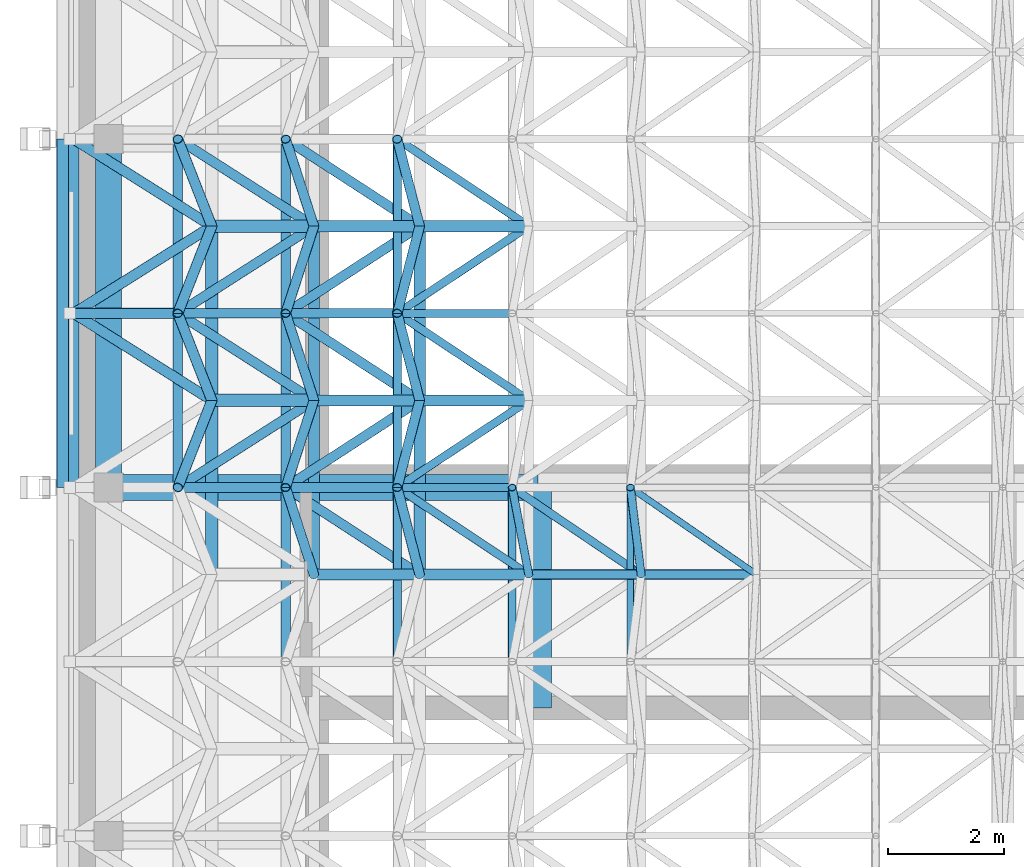
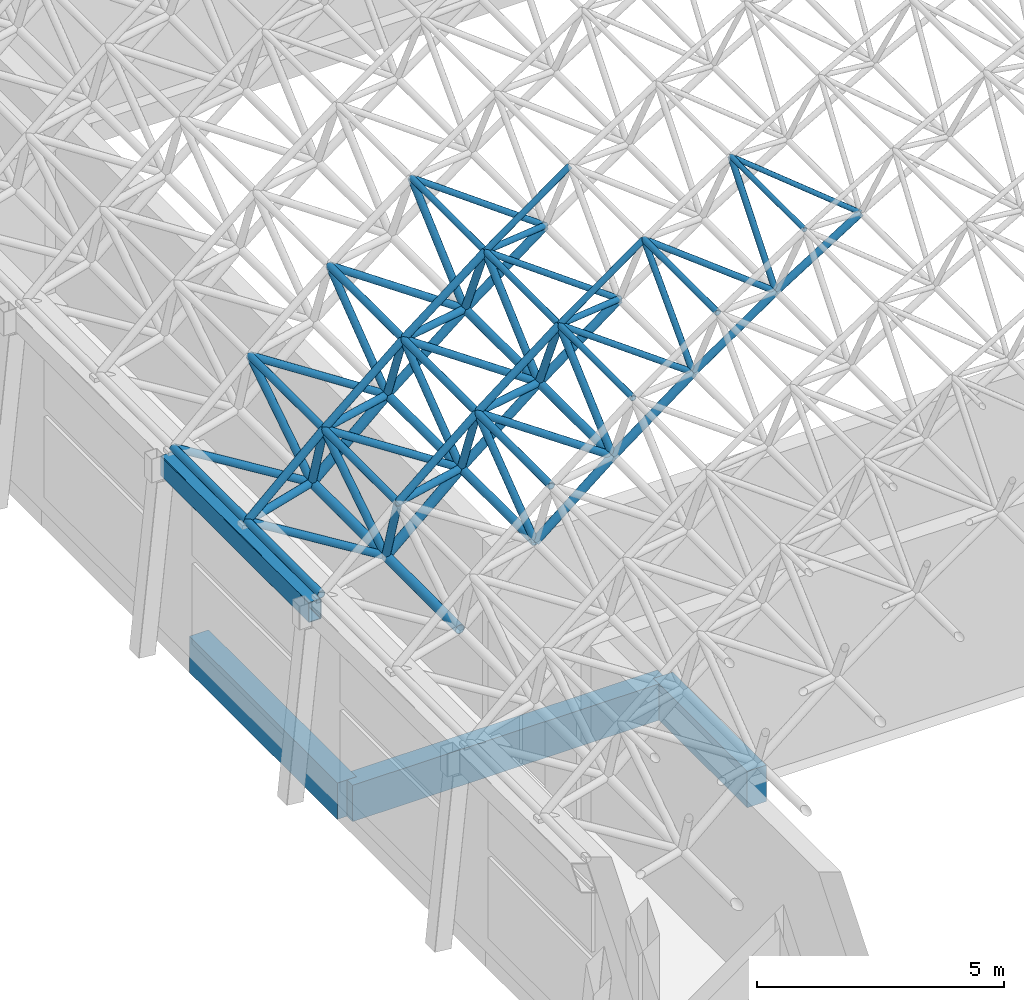
# One storey, part 16 of 141: 70 members, 4 beams.
"""IFC4 building model written with IfcOpenShell, lengths in metres."""

from ifc_helpers import new_model, si_unit, direction, frame, origin, origin_2d, place, context, subcontext, project, spatial, rectangle, hollow_rectangle, hollow_circle, extrude, material, material_profile, profile_set, type_object, element, save


model = new_model("IFC4")

# Units and contexts
model_context = context("Model", 3, precision=1e-05, world=origin(), true_north=direction((0.0, 1.0)))
body_context = subcontext(model_context, "Body", "Model", "MODEL_VIEW")
ifc_project = project(units=[si_unit("LENGTHUNIT", "METRE"), si_unit("AREAUNIT", "SQUARE_METRE"), si_unit("VOLUMEUNIT", "CUBIC_METRE"), si_unit("PLANEANGLEUNIT", "RADIAN"), si_unit("MASSUNIT", "GRAM", prefix="KILO")], contexts=[model_context])

# Site, building, storey
site_placement = place(None, origin())
site = spatial("IfcSite", under=ifc_project, at=site_placement, CompositionType="ELEMENT")
building_placement = place(site_placement, origin())
building = spatial("IfcBuilding", under=site, at=building_placement, Name="Lantern Court Media Centre", CompositionType="ELEMENT")
storey_placement = place(building_placement, frame((0.0, 0.0, 9.60009765625)))
storey = spatial("IfcBuildingStorey", under=building, at=storey_placement, Name="L02", CompositionType="ELEMENT", Elevation=9.60009765625)

# Members
ifc_material_1 = material(Name="Steel S355J2 (EN 10025-2)", Category="steel")
ifc_material_profile_1 = material_profile(ifc_material_1, hollow_circle(Radius=0.084228515625, WallThickness=0.00634765625, at=origin_2d()), Name="Cinema Hall bottom CHS 168.3x6.3")
ifc_profile_set_1 = profile_set([ifc_material_profile_1], Name="Steel S355J2 (EN 10025-2)")
member_type_1 = type_object("IfcMemberType", Name="Cinema Hall bottom CHS 168.3x6.3", PredefinedType="CHORD", material=ifc_profile_set_1)
member_1_placement = place(storey_placement, frame((9.772705078125, 14.5, 9.7939453125), z_axis=(0.846411623189, 0.0, 0.532529214344), x_axis=(0.0, 1.0, 0.0)))
element("IfcMember", 1, at=member_1_placement, inside=storey, type_object=member_type_1, Name="Cinema Hall bottom chord 05-06 across", PredefinedType="CHORD", context=body_context, shape_type="SweptSolid", body=[
    extrude(hollow_circle(Radius=0.084228515625, WallThickness=0.00634765625, at=origin_2d()), origin(), (0.0, 0.0, 1.0), 2.34814453125),
])
ifc_material_profile_2 = material_profile(ifc_material_1, hollow_circle(Radius=0.084228515625, WallThickness=0.008056640625, at=origin_2d()), Name="Cinema Hall bottom CHS 168.3x8")
ifc_profile_set_2 = profile_set([ifc_material_profile_2], Name="Steel S355J2 (EN 10025-2)")
member_type_2 = type_object("IfcMemberType", Name="Cinema Hall bottom CHS 168.3x8", PredefinedType="CHORD", material=ifc_profile_set_2)
member_2_placement = place(storey_placement, frame((7.837646484375, 14.5, 8.463623046875), z_axis=(0.824047991233, 0.0, 0.56651999801), x_axis=(0.0, 1.0, 0.0)))
element("IfcMember", 2, at=member_2_placement, inside=storey, type_object=member_type_2, Name="Cinema Hall bottom chord 04-06 across", PredefinedType="CHORD", context=body_context, shape_type="SweptSolid", body=[
    extrude(hollow_circle(Radius=0.084228515625, WallThickness=0.008056640625, at=origin_2d()), origin(), (0.0, 0.0, 1.0), 2.34814453125),
])
ifc_material_profile_3 = material_profile(ifc_material_1, hollow_circle(Radius=0.096923828125, WallThickness=0.010009765625, at=origin_2d()), Name="Cinema Hall bottom CHS 193.7x10")
ifc_profile_set_3 = profile_set([ifc_material_profile_3], Name="Steel S355J2 (EN 10025-2)")
member_type_3 = type_object("IfcMemberType", Name="Cinema Hall bottom CHS 193.7x10", PredefinedType="CHORD", material=ifc_profile_set_3)
for number, where, z_axis, x_axis, name in (
    (3, (4.1376953125, 14.5, 5.57275390625), (0.0, 1.0, 0.0), (-1.0, 0.0, 0.0), "Cinema Hall bottom chord 02-06"),
    (4, (4.1376953125, 17.5, 5.57275390625), (0.0, 1.0, 0.0), (-1.0, 0.0, 0.0), "Cinema Hall bottom chord 02-07"),
):
    element("IfcMember", number, at=place(storey_placement, frame(where, z_axis=z_axis, x_axis=x_axis)), inside=storey, type_object=member_type_3, Name=name, PredefinedType="CHORD", context=body_context, shape_type="SweptSolid", body=[
        extrude(hollow_circle(Radius=0.096923828125, WallThickness=0.010009765625, at=origin_2d()), origin(), (0.0, 0.0, 1.0), 3.0),
    ])
for number, where, z_axis, x_axis, name in (
    (5, (4.1376953125, 14.5, 5.57275390625), (0.775340578175, 0.0, 0.63154333805), (0.0, 1.0, 0.0), "Cinema Hall bottom chord 02-06 across"),
    (6, (4.1376953125, 17.5, 5.57275390625), (0.775340578175, 0.0, 0.63154333805), (0.0, 1.0, 0.0), "Cinema Hall bottom chord 02-07 across"),
    (7, (4.1376953125, 20.5, 5.57275390625), (0.775340578175, 0.0, 0.63154333805), (0.0, 1.0, 0.0), "Cinema Hall bottom chord 02-08 across"),
):
    element("IfcMember", number, at=place(storey_placement, frame(where, z_axis=z_axis, x_axis=x_axis)), inside=storey, type_object=member_type_3, Name=name, PredefinedType="CHORD", context=body_context, shape_type="SweptSolid", body=[
        extrude(hollow_circle(Radius=0.096923828125, WallThickness=0.010009765625, at=origin_2d()), origin(), (0.0, 0.0, 1.0), 2.34814453125),
    ])
ifc_material_profile_4 = material_profile(ifc_material_1, hollow_circle(Radius=0.096923828125, WallThickness=0.008056640625, at=origin_2d()), Name="Cinema Hall bottom CHS 193.7x8")
ifc_profile_set_4 = profile_set([ifc_material_profile_4], Name="Steel S355J2 (EN 10025-2)")
member_type_4 = type_object("IfcMemberType", Name="Cinema Hall bottom CHS 193.7x8", PredefinedType="CHORD", material=ifc_profile_set_4)
for number, where, z_axis, x_axis, name in (
    (8, (5.958251953125, 14.5, 7.0556640625), (0.0, 1.0, 0.0), (-1.0, 0.0, 0.0), "Cinema Hall bottom chord 03-06"),
    (9, (5.958251953125, 17.5, 7.0556640625), (0.0, 1.0, 0.0), (-1.0, 0.0, 0.0), "Cinema Hall bottom chord 03-07"),
):
    element("IfcMember", number, at=place(storey_placement, frame(where, z_axis=z_axis, x_axis=x_axis)), inside=storey, type_object=member_type_4, Name=name, PredefinedType="CHORD", context=body_context, shape_type="SweptSolid", body=[
        extrude(hollow_circle(Radius=0.096923828125, WallThickness=0.008056640625, at=origin_2d()), origin(), (0.0, 0.0, 1.0), 3.0),
    ])
for number, where, z_axis, x_axis, name in (
    (10, (5.958251953125, 14.5, 7.0556640625), (0.800324254575, 0.0, 0.599567417009), (0.0, 1.0, 0.0), "Cinema Hall bottom chord 03-06 across"),
    (11, (5.958251953125, 17.5, 7.0556640625), (0.800324254575, 0.0, 0.599567417009), (0.0, 1.0, 0.0), "Cinema Hall bottom chord 03-07 across"),
    (12, (5.958251953125, 20.5, 7.0556640625), (0.800324254575, 0.0, 0.599567417009), (0.0, 1.0, 0.0), "Cinema Hall bottom chord 03-08 across"),
):
    element("IfcMember", number, at=place(storey_placement, frame(where, z_axis=z_axis, x_axis=x_axis)), inside=storey, type_object=member_type_4, Name=name, PredefinedType="CHORD", context=body_context, shape_type="SweptSolid", body=[
        extrude(hollow_circle(Radius=0.096923828125, WallThickness=0.008056640625, at=origin_2d()), origin(), (0.0, 0.0, 1.0), 2.348388671875),
    ])
ifc_material_profile_5 = material_profile(ifc_material_1, hollow_circle(Radius=0.109619140625, WallThickness=0.010009765625, at=origin_2d()), Name="Cinema Hall bottom CHS 219.1x10")
ifc_profile_set_5 = profile_set([ifc_material_profile_5], Name="Steel S355J2 (EN 10025-2)")
member_type_5 = type_object("IfcMemberType", Name="Cinema Hall bottom CHS 219.1x10", PredefinedType="CHORD", material=ifc_profile_set_5)
for number, where, z_axis, x_axis, name in (
    (13, (2.378662109375, 14.5, 4.016845703125), (0.0, 1.0, 0.0), (-1.0, 0.0, 0.0), "Cinema Hall bottom chord 01-06"),
    (14, (2.378662109375, 17.5, 4.016845703125), (0.0, 1.0, 0.0), (-1.0, 0.0, 0.0), "Cinema Hall bottom chord 01-07"),
):
    element("IfcMember", number, at=place(storey_placement, frame(where, z_axis=z_axis, x_axis=x_axis)), inside=storey, type_object=member_type_5, Name=name, PredefinedType="CHORD", context=body_context, shape_type="SweptSolid", body=[
        extrude(hollow_circle(Radius=0.109619140625, WallThickness=0.010009765625, at=origin_2d()), origin(), (0.0, 0.0, 1.0), 3.0),
    ])
for number, where, z_axis, x_axis, name in (
    (15, (2.378662109375, 17.5, 4.016845703125), (0.749030294531, 0.0, 0.662535748375), (0.0, 1.0, 0.0), "Cinema Hall bottom chord 01-07 across"),
    (16, (2.378662109375, 20.5, 4.016845703125), (0.749030294531, 0.0, 0.662535748375), (0.0, 1.0, 0.0), "Cinema Hall bottom chord 01-08 across"),
):
    element("IfcMember", number, at=place(storey_placement, frame(where, z_axis=z_axis, x_axis=x_axis)), inside=storey, type_object=member_type_5, Name=name, PredefinedType="CHORD", context=body_context, shape_type="SweptSolid", body=[
        extrude(hollow_circle(Radius=0.109619140625, WallThickness=0.010009765625, at=origin_2d()), origin(), (0.0, 0.0, 1.0), 2.348388671875),
    ])
ifc_material_profile_6 = material_profile(ifc_material_1, hollow_circle(Radius=0.05712890625, WallThickness=0.00634765625, at=origin_2d()), Name="Cinema Hall diagonal CHS 114.3x6.3")
ifc_profile_set_6 = profile_set([ifc_material_profile_6], Name="Steel S355J2 (EN 10025-2)")
member_type_6 = type_object("IfcMemberType", Name="Cinema Hall diagonal CHS 114.3x6.3", PredefinedType="BRACE", material=ifc_profile_set_6)
member_3_placement = place(storey_placement, frame((11.76025390625, 14.5, 11.04443359375), z_axis=(-0.744001537395, 0.513842788417, 0.427115091218), x_axis=(-0.568286154794, -0.822830994962, 0.0)))
element("IfcMember", 17, at=member_3_placement, inside=storey, type_object=member_type_6, Name="Cinema Hall diagonal 06-06-4", PredefinedType="BRACE", context=body_context, shape_type="SweptSolid", body=[
    extrude(hollow_circle(Radius=0.05712890625, WallThickness=0.00634765625, at=origin_2d()), origin(), (0.0, 0.0, 1.0), 2.919189453125),
])
ifc_material_profile_7 = material_profile(ifc_material_1, hollow_circle(Radius=0.06982421875, WallThickness=0.00634765625, at=origin_2d()), Name="Cinema Hall diagonal CHS 139.7x6.3")
ifc_profile_set_7 = profile_set([ifc_material_profile_7], Name="Steel S355J2 (EN 10025-2)")
member_type_7 = type_object("IfcMemberType", Name="Cinema Hall diagonal CHS 139.7x6.3", PredefinedType="BRACE", material=ifc_profile_set_7)
member_4_placement = place(storey_placement, frame((9.772705078125, 14.5, 9.7939453125), z_axis=(-0.063147046974, 0.513874776966, 0.855537938409), x_axis=(-0.992534194664, -0.121966685705, 0.0)))
element("IfcMember", 18, at=member_4_placement, inside=storey, type_object=member_type_7, Name="Cinema Hall diagonal 05-06-3", PredefinedType="BRACE", context=body_context, shape_type="SweptSolid", body=[
    extrude(hollow_circle(Radius=0.06982421875, WallThickness=0.00634765625, at=origin_2d()), origin(), (0.0, 0.0, 1.0), 2.9189453125),
])
member_5_placement = place(storey_placement, frame((9.772705078125, 14.5, 9.7939453125), z_axis=(-0.760744068819, 0.513853513503, 0.396513591718), x_axis=(-0.559735691147, -0.828671199003, 0.0)))
element("IfcMember", 19, at=member_5_placement, inside=storey, type_object=member_type_7, Name="Cinema Hall diagonal 05-06-4", PredefinedType="BRACE", context=body_context, shape_type="SweptSolid", body=[
    extrude(hollow_circle(Radius=0.06982421875, WallThickness=0.00634765625, at=origin_2d()), origin(), (0.0, 0.0, 1.0), 2.919189453125),
])
ifc_material_profile_8 = material_profile(ifc_material_1, hollow_circle(Radius=0.06982421875, WallThickness=0.008056640625, at=origin_2d()), Name="Cinema Hall diagonal CHS 139.7x8")
ifc_profile_set_8 = profile_set([ifc_material_profile_8], Name="Steel S355J2 (EN 10025-2)")
member_type_8 = type_object("IfcMemberType", Name="Cinema Hall diagonal CHS 139.7x8", PredefinedType="BRACE", material=ifc_profile_set_8)
member_6_placement = place(storey_placement, frame((7.837646484375, 14.5, 8.463623046875), z_axis=(-0.09785614588, 0.51387022247, 0.852268484207), x_axis=(-0.982346962135, -0.187068025016, 0.0)))
element("IfcMember", 20, at=member_6_placement, inside=storey, type_object=member_type_8, Name="Cinema Hall diagonal 04-06-3", PredefinedType="BRACE", context=body_context, shape_type="SweptSolid", body=[
    extrude(hollow_circle(Radius=0.06982421875, WallThickness=0.008056640625, at=origin_2d()), origin(), (0.0, 0.0, 1.0), 2.9189453125),
])
for number, where, z_axis, x_axis, name in (
    (21, (7.837646484375, 14.5, 8.463623046875), (-0.776210877705, 0.513849761084, 0.365315064521), (-0.552001963744, -0.833842810141, 0.0), "Cinema Hall diagonal 04-06-4"),
    (22, (7.837646484375, 17.5, 8.463623046875), (-0.776210877705, -0.513849761084, 0.365315064521), (0.552001963744, -0.833842810141, 0.0), "Cinema Hall diagonal 04-07-1"),
    (23, (7.837646484375, 17.5, 8.463623046875), (-0.776210877705, 0.513849761084, 0.365315064521), (-0.552001963744, -0.833842810141, 0.0), "Cinema Hall diagonal 04-07-4"),
    (24, (7.837646484375, 20.5, 8.463623046875), (-0.776210877705, -0.513849761084, 0.365315064521), (0.552001963744, -0.833842810141, 0.0), "Cinema Hall diagonal 04-08-1"),
    (25, (7.837646484375, 20.5, 8.463623046875), (-0.776210877705, 0.513849761084, 0.365315064521), (-0.552001963744, -0.833842810141, 0.0), "Cinema Hall diagonal 04-08-4"),
):
    element("IfcMember", number, at=place(storey_placement, frame(where, z_axis=z_axis, x_axis=x_axis)), inside=storey, type_object=member_type_8, Name=name, PredefinedType="BRACE", context=body_context, shape_type="SweptSolid", body=[
        extrude(hollow_circle(Radius=0.06982421875, WallThickness=0.008056640625, at=origin_2d()), origin(), (0.0, 0.0, 1.0), 2.919189453125),
    ])
ifc_material_profile_9 = material_profile(ifc_material_1, hollow_circle(Radius=0.084228515625, WallThickness=0.010009765625, at=origin_2d()), Name="Cinema Hall diagonal CHS 168.3x10")
ifc_profile_set_9 = profile_set([ifc_material_profile_9], Name="Steel S355J2 (EN 10025-2)")
member_type_9 = type_object("IfcMemberType", Name="Cinema Hall diagonal CHS 168.3x10", PredefinedType="BRACE", material=ifc_profile_set_9)
member_7_placement = place(storey_placement, frame((4.1376953125, 14.5, 5.57275390625), z_axis=(-0.166695380465, 0.513886812634, 0.841506383774), x_axis=(-0.951206854862, -0.308553916299, 0.0)))
element("IfcMember", 26, at=member_7_placement, inside=storey, type_object=member_type_9, Name="Cinema Hall diagonal 02-06-3", PredefinedType="BRACE", context=body_context, shape_type="SweptSolid", body=[
    extrude(hollow_circle(Radius=0.084228515625, WallThickness=0.010009765625, at=origin_2d()), origin(), (0.0, 0.0, 1.0), 2.9189453125),
])
member_8_placement = place(storey_placement, frame((4.1376953125, 17.5, 5.57275390625), z_axis=(-0.803309435106, -0.513850408047, 0.301084223465), x_axis=(0.538854579896, -0.842398802068, 0.0)))
element("IfcMember", 27, at=member_8_placement, inside=storey, type_object=member_type_9, Name="Cinema Hall diagonal 02-07-1", PredefinedType="BRACE", context=body_context, shape_type="SweptSolid", body=[
    extrude(hollow_circle(Radius=0.084228515625, WallThickness=0.010009765625, at=origin_2d()), origin(), (0.0, 0.0, 1.0), 2.919189453125),
])
for number, where, z_axis, x_axis, name in (
    (28, (4.1376953125, 17.5, 5.57275390625), (-0.166695380465, -0.513886812634, 0.841506383774), (0.951206854862, -0.308553916299, 0.0), "Cinema Hall diagonal 02-07-2"),
    (29, (4.1376953125, 17.5, 5.57275390625), (-0.166695380465, 0.513886812634, 0.841506383774), (-0.951206854862, -0.308553916299, 0.0), "Cinema Hall diagonal 02-07-3"),
):
    element("IfcMember", number, at=place(storey_placement, frame(where, z_axis=z_axis, x_axis=x_axis)), inside=storey, type_object=member_type_9, Name=name, PredefinedType="BRACE", context=body_context, shape_type="SweptSolid", body=[
        extrude(hollow_circle(Radius=0.084228515625, WallThickness=0.010009765625, at=origin_2d()), origin(), (0.0, 0.0, 1.0), 2.9189453125),
    ])
for number, where, z_axis, x_axis, name in (
    (30, (4.1376953125, 17.5, 5.57275390625), (-0.803309435106, 0.513850408047, 0.301084223465), (-0.538854579896, -0.842398802068, 0.0), "Cinema Hall diagonal 02-07-4"),
    (31, (4.1376953125, 20.5, 5.57275390625), (-0.803309435106, -0.513850408047, 0.301084223465), (0.538854579896, -0.842398802068, 0.0), "Cinema Hall diagonal 02-08-1"),
):
    element("IfcMember", number, at=place(storey_placement, frame(where, z_axis=z_axis, x_axis=x_axis)), inside=storey, type_object=member_type_9, Name=name, PredefinedType="BRACE", context=body_context, shape_type="SweptSolid", body=[
        extrude(hollow_circle(Radius=0.084228515625, WallThickness=0.010009765625, at=origin_2d()), origin(), (0.0, 0.0, 1.0), 2.919189453125),
    ])
for number, where, z_axis, x_axis, name in (
    (32, (4.1376953125, 20.5, 5.57275390625), (-0.166695380465, -0.513886812634, 0.841506383774), (0.951206854862, -0.308553916299, 0.0), "Cinema Hall diagonal 02-08-2"),
    (33, (4.1376953125, 20.5, 5.57275390625), (-0.166695380465, 0.513886812634, 0.841506383774), (-0.951206854862, -0.308553916299, 0.0), "Cinema Hall diagonal 02-08-3"),
):
    element("IfcMember", number, at=place(storey_placement, frame(where, z_axis=z_axis, x_axis=x_axis)), inside=storey, type_object=member_type_9, Name=name, PredefinedType="BRACE", context=body_context, shape_type="SweptSolid", body=[
        extrude(hollow_circle(Radius=0.084228515625, WallThickness=0.010009765625, at=origin_2d()), origin(), (0.0, 0.0, 1.0), 2.9189453125),
    ])
member_9_placement = place(storey_placement, frame((4.1376953125, 20.5, 5.57275390625), z_axis=(-0.803309435106, 0.513850408047, 0.301084223465), x_axis=(-0.538854579896, -0.842398802068, 0.0)))
element("IfcMember", 34, at=member_9_placement, inside=storey, type_object=member_type_9, Name="Cinema Hall diagonal 02-08-4", PredefinedType="BRACE", context=body_context, shape_type="SweptSolid", body=[
    extrude(hollow_circle(Radius=0.084228515625, WallThickness=0.010009765625, at=origin_2d()), origin(), (0.0, 0.0, 1.0), 2.919189453125),
])
ifc_material_profile_10 = material_profile(ifc_material_1, hollow_circle(Radius=0.084228515625, WallThickness=0.008056640625, at=origin_2d()), Name="Cinema Hall diagonal CHS 168.3x8")
ifc_profile_set_10 = profile_set([ifc_material_profile_10], Name="Steel S355J2 (EN 10025-2)")
member_type_10 = type_object("IfcMemberType", Name="Cinema Hall diagonal CHS 168.3x8", PredefinedType="BRACE", material=ifc_profile_set_10)
member_10_placement = place(storey_placement, frame((5.958251953125, 14.5, 7.0556640625), z_axis=(-0.132389678542, 0.513835871739, 0.847611744804), x_axis=(-0.968374432366, -0.249501420318, 0.0)))
element("IfcMember", 35, at=member_10_placement, inside=storey, type_object=member_type_10, Name="Cinema Hall diagonal 03-06-3", PredefinedType="BRACE", context=body_context, shape_type="SweptSolid", body=[
    extrude(hollow_circle(Radius=0.084228515625, WallThickness=0.008056640625, at=origin_2d()), origin(), (0.0, 0.0, 1.0), 2.919189453125),
])
for number, where, z_axis, x_axis, name in (
    (36, (5.958251953125, 14.5, 7.0556640625), (-0.790394065187, 0.513881601747, 0.333471019884), (-0.545081898441, -0.838382802777, 0.0), "Cinema Hall diagonal 03-06-4"),
    (37, (5.958251953125, 17.5, 7.0556640625), (-0.790394065187, -0.513881601747, 0.333471019884), (0.545081898441, -0.838382802777, 0.0), "Cinema Hall diagonal 03-07-1"),
):
    element("IfcMember", number, at=place(storey_placement, frame(where, z_axis=z_axis, x_axis=x_axis)), inside=storey, type_object=member_type_10, Name=name, PredefinedType="BRACE", context=body_context, shape_type="SweptSolid", body=[
        extrude(hollow_circle(Radius=0.084228515625, WallThickness=0.008056640625, at=origin_2d()), origin(), (0.0, 0.0, 1.0), 2.9189453125),
    ])
for number, where, z_axis, x_axis, name in (
    (38, (5.958251953125, 17.5, 7.0556640625), (-0.132389678542, -0.513835871739, 0.847611744804), (0.968374432366, -0.249501420318, 0.0), "Cinema Hall diagonal 03-07-2"),
    (39, (5.958251953125, 17.5, 7.0556640625), (-0.132389678542, 0.513835871739, 0.847611744804), (-0.968374432366, -0.249501420318, 0.0), "Cinema Hall diagonal 03-07-3"),
):
    element("IfcMember", number, at=place(storey_placement, frame(where, z_axis=z_axis, x_axis=x_axis)), inside=storey, type_object=member_type_10, Name=name, PredefinedType="BRACE", context=body_context, shape_type="SweptSolid", body=[
        extrude(hollow_circle(Radius=0.084228515625, WallThickness=0.008056640625, at=origin_2d()), origin(), (0.0, 0.0, 1.0), 2.919189453125),
    ])
for number, where, z_axis, x_axis, name in (
    (40, (5.958251953125, 17.5, 7.0556640625), (-0.790394065187, 0.513881601747, 0.333471019884), (-0.545081898441, -0.838382802777, 0.0), "Cinema Hall diagonal 03-07-4"),
    (41, (5.958251953125, 20.5, 7.0556640625), (-0.790394065187, -0.513881601747, 0.333471019884), (0.545081898441, -0.838382802777, 0.0), "Cinema Hall diagonal 03-08-1"),
):
    element("IfcMember", number, at=place(storey_placement, frame(where, z_axis=z_axis, x_axis=x_axis)), inside=storey, type_object=member_type_10, Name=name, PredefinedType="BRACE", context=body_context, shape_type="SweptSolid", body=[
        extrude(hollow_circle(Radius=0.084228515625, WallThickness=0.008056640625, at=origin_2d()), origin(), (0.0, 0.0, 1.0), 2.9189453125),
    ])
for number, where, z_axis, x_axis, name in (
    (42, (5.958251953125, 20.5, 7.0556640625), (-0.132389678542, -0.513835871739, 0.847611744804), (0.968374432366, -0.249501420318, 0.0), "Cinema Hall diagonal 03-08-2"),
    (43, (5.958251953125, 20.5, 7.0556640625), (-0.132389678542, 0.513835871739, 0.847611744804), (-0.968374432366, -0.249501420318, 0.0), "Cinema Hall diagonal 03-08-3"),
):
    element("IfcMember", number, at=place(storey_placement, frame(where, z_axis=z_axis, x_axis=x_axis)), inside=storey, type_object=member_type_10, Name=name, PredefinedType="BRACE", context=body_context, shape_type="SweptSolid", body=[
        extrude(hollow_circle(Radius=0.084228515625, WallThickness=0.008056640625, at=origin_2d()), origin(), (0.0, 0.0, 1.0), 2.919189453125),
    ])
member_11_placement = place(storey_placement, frame((5.958251953125, 20.5, 7.0556640625), z_axis=(-0.790394065187, 0.513881601747, 0.333471019884), x_axis=(-0.545081898441, -0.838382802777, 0.0)))
element("IfcMember", 44, at=member_11_placement, inside=storey, type_object=member_type_10, Name="Cinema Hall diagonal 03-08-4", PredefinedType="BRACE", context=body_context, shape_type="SweptSolid", body=[
    extrude(hollow_circle(Radius=0.084228515625, WallThickness=0.008056640625, at=origin_2d()), origin(), (0.0, 0.0, 1.0), 2.9189453125),
])
ifc_material_profile_11 = material_profile(ifc_material_1, hollow_circle(Radius=0.0888671875, WallThickness=0.010009765625, at=origin_2d()), Name="Cinema Hall diagonal CHS 177.8x10")
ifc_profile_set_11 = profile_set([ifc_material_profile_11], Name="Steel S355J2 (EN 10025-2)")
member_type_11 = type_object("IfcMemberType", Name="Cinema Hall diagonal CHS 177.8x10", PredefinedType="BRACE", material=ifc_profile_set_11)
for number, where, z_axis, x_axis, name in (
    (45, (2.378662109375, 17.5, 4.016845703125), (-0.200719513512, -0.513841954591, 0.834073211773), (0.93145734948, -0.36385052714, 0.0), "Cinema Hall diagonal 01-07-2"),
    (46, (2.378662109375, 17.5, 4.016845703125), (-0.200719513512, 0.513841954591, 0.834073211773), (-0.93145734948, -0.36385052714, 0.0), "Cinema Hall diagonal 01-07-3"),
    (47, (2.378662109375, 17.5, 4.016845703125), (-0.814865608485, 0.513859622142, 0.268220671909), (-0.533404912089, -0.845860035561, 0.0), "Cinema Hall diagonal 01-07-4"),
    (48, (2.378662109375, 20.5, 4.016845703125), (-0.814865608485, -0.513859622142, 0.268220671909), (0.533404912089, -0.845860035561, 0.0), "Cinema Hall diagonal 01-08-1"),
    (49, (2.378662109375, 20.5, 4.016845703125), (-0.200719513512, -0.513841954591, 0.834073211773), (0.93145734948, -0.36385052714, 0.0), "Cinema Hall diagonal 01-08-2"),
    (50, (2.378662109375, 20.5, 4.016845703125), (-0.200719513512, 0.513841954591, 0.834073211773), (-0.93145734948, -0.36385052714, 0.0), "Cinema Hall diagonal 01-08-3"),
    (51, (2.378662109375, 20.5, 4.016845703125), (-0.814865608485, 0.513859622142, 0.268220671909), (-0.533404912089, -0.845860035561, 0.0), "Cinema Hall diagonal 01-08-4"),
):
    element("IfcMember", number, at=place(storey_placement, frame(where, z_axis=z_axis, x_axis=x_axis)), inside=storey, type_object=member_type_11, Name=name, PredefinedType="BRACE", context=body_context, shape_type="SweptSolid", body=[
        extrude(hollow_circle(Radius=0.0888671875, WallThickness=0.010009765625, at=origin_2d()), origin(), (0.0, 0.0, 1.0), 2.919189453125),
    ])

# Beam
ifc_material_profile_12 = material_profile(ifc_material_1, hollow_rectangle(XDim=0.300048828125, YDim=0.5, WallThickness=0.01611328125, InnerFilletRadius=0.01611328125, OuterFilletRadius=0.02392578125, at=origin_2d()), Name="Cinema Hall edge girder RHS 500x300x16")
ifc_profile_set_12 = profile_set([ifc_material_profile_12], Name="Steel S355J2 (EN 10025-2)")
beam_type_1 = type_object("IfcBeamType", Name="Cinema Hall edge girder RHS 500x300x16", PredefinedType="BEAM", material=ifc_profile_set_12)
beam_1_placement = place(storey_placement, frame((-0.14990234375, 16.0, 4.449951171875), z_axis=(0.0, 1.0, 0.0), x_axis=(-1.0, 0.0, 0.0)))
element("IfcBeam", 52, at=beam_1_placement, inside=storey, type_object=beam_type_1, Name="Cinema Hall edge girder west 4", PredefinedType="BEAM", context=body_context, shape_type="SweptSolid", body=[
    extrude(hollow_rectangle(XDim=0.300048828125, YDim=0.5, WallThickness=0.01611328125, InnerFilletRadius=0.01611328125, OuterFilletRadius=0.02392578125, at=origin_2d()), origin(), (0.0, 0.0, 1.0), 6.0),
])

# Members
ifc_material_profile_13 = material_profile(ifc_material_1, hollow_circle(Radius=0.05712890625, WallThickness=0.00634765625, at=origin_2d()), Name="Cinema Hall top CHS 114.3x6.3")
ifc_profile_set_13 = profile_set([ifc_material_profile_13], Name="Steel S355J2 (EN 10025-2)")
member_type_12 = type_object("IfcMemberType", Name="Cinema Hall top CHS 114.3x6.3", PredefinedType="CHORD", material=ifc_profile_set_13)
member_12_placement = place(storey_placement, frame((9.58837890625, 13.0, 12.291259765625), z_axis=(0.0, 1.0, 0.0), x_axis=(-1.0, 0.0, 0.0)))
element("IfcMember", 53, at=member_12_placement, inside=storey, type_object=member_type_12, Name="Cinema Hall top chord 06-06", PredefinedType="CHORD", context=body_context, shape_type="SweptSolid", body=[
    extrude(hollow_circle(Radius=0.05712890625, WallThickness=0.00634765625, at=origin_2d()), origin(), (0.0, 0.0, 1.0), 3.0),
])
ifc_material_profile_14 = material_profile(ifc_material_1, hollow_circle(Radius=0.06982421875, WallThickness=0.00634765625, at=origin_2d()), Name="Cinema Hall top CHS 139.7x6.3")
ifc_profile_set_14 = profile_set([ifc_material_profile_14], Name="Steel S355J2 (EN 10025-2)")
member_type_13 = type_object("IfcMemberType", Name="Cinema Hall top CHS 139.7x6.3", PredefinedType="CHORD", material=ifc_profile_set_14)
member_13_placement = place(storey_placement, frame((7.552001953125, 13.0, 10.951416015625), z_axis=(0.0, 1.0, 0.0), x_axis=(-1.0, 0.0, 0.0)))
element("IfcMember", 54, at=member_13_placement, inside=storey, type_object=member_type_13, Name="Cinema Hall top chord 05-06", PredefinedType="CHORD", context=body_context, shape_type="SweptSolid", body=[
    extrude(hollow_circle(Radius=0.06982421875, WallThickness=0.00634765625, at=origin_2d()), origin(), (0.0, 0.0, 1.0), 3.0),
])
ifc_material_profile_15 = material_profile(ifc_material_1, hollow_circle(Radius=0.06982421875, WallThickness=0.008056640625, at=origin_2d()), Name="Cinema Hall top CHS 139.7x8")
ifc_profile_set_15 = profile_set([ifc_material_profile_15], Name="Steel S355J2 (EN 10025-2)")
member_type_14 = type_object("IfcMemberType", Name="Cinema Hall top CHS 139.7x8", PredefinedType="CHORD", material=ifc_profile_set_15)
for number, where, z_axis, x_axis, name in (
    (55, (5.57177734375, 13.0, 9.530029296875), (0.0, 1.0, 0.0), (-1.0, 0.0, 0.0), "Cinema Hall top chord 04-06"),
    (56, (5.57177734375, 16.0, 9.530029296875), (0.0, 1.0, 0.0), (-1.0, 0.0, 0.0), "Cinema Hall top chord 04-07"),
    (57, (5.57177734375, 19.0, 9.530029296875), (0.0, 1.0, 0.0), (-1.0, 0.0, 0.0), "Cinema Hall top chord 04-08"),
):
    element("IfcMember", number, at=place(storey_placement, frame(where, z_axis=z_axis, x_axis=x_axis)), inside=storey, type_object=member_type_14, Name=name, PredefinedType="CHORD", context=body_context, shape_type="SweptSolid", body=[
        extrude(hollow_circle(Radius=0.06982421875, WallThickness=0.008056640625, at=origin_2d()), origin(), (0.0, 0.0, 1.0), 3.0),
    ])
for number, where, z_axis, x_axis, name in (
    (58, (5.57177734375, 16.0, 9.530029296875), (0.812384562891, 0.0, 0.583122047239), (0.0, 1.0, 0.0), "Cinema Hall top chord 04-07 across"),
    (59, (5.57177734375, 19.0, 9.530029296875), (0.812384562891, 0.0, 0.583122047239), (0.0, 1.0, 0.0), "Cinema Hall top chord 04-08 across"),
):
    element("IfcMember", number, at=place(storey_placement, frame(where, z_axis=z_axis, x_axis=x_axis)), inside=storey, type_object=member_type_14, Name=name, PredefinedType="CHORD", context=body_context, shape_type="SweptSolid", body=[
        extrude(hollow_circle(Radius=0.06982421875, WallThickness=0.008056640625, at=origin_2d()), origin(), (0.0, 0.0, 1.0), 2.4375),
    ])
ifc_material_profile_16 = material_profile(ifc_material_1, hollow_circle(Radius=0.084228515625, WallThickness=0.010009765625, at=origin_2d()), Name="Cinema Hall top CHS 168.3x10")
ifc_profile_set_16 = profile_set([ifc_material_profile_16], Name="Steel S355J2 (EN 10025-2)")
member_type_15 = type_object("IfcMemberType", Name="Cinema Hall top CHS 168.3x10", PredefinedType="CHORD", material=ifc_profile_set_16)
for number, where, z_axis, x_axis, name in (
    (60, (1.792724609375, 16.0, 6.45166015625), (0.0, 1.0, 0.0), (-1.0, 0.0, 0.0), "Cinema Hall top chord 02-07"),
    (61, (1.792724609375, 19.0, 6.45166015625), (0.0, 1.0, 0.0), (-1.0, 0.0, 0.0), "Cinema Hall top chord 02-08"),
):
    element("IfcMember", number, at=place(storey_placement, frame(where, z_axis=z_axis, x_axis=x_axis)), inside=storey, type_object=member_type_15, Name=name, PredefinedType="CHORD", context=body_context, shape_type="SweptSolid", body=[
        extrude(hollow_circle(Radius=0.084228515625, WallThickness=0.010009765625, at=origin_2d()), origin(), (0.0, 0.0, 1.0), 3.0),
    ])
for number, where, z_axis, x_axis, name in (
    (62, (1.792724609375, 16.0, 6.45166015625), (0.762393833283, 0.0, 0.647113315403), (0.0, 1.0, 0.0), "Cinema Hall top chord 02-07 across"),
    (63, (1.792724609375, 19.0, 6.45166015625), (0.762393833283, 0.0, 0.647113315403), (0.0, 1.0, 0.0), "Cinema Hall top chord 02-08 across"),
):
    element("IfcMember", number, at=place(storey_placement, frame(where, z_axis=z_axis, x_axis=x_axis)), inside=storey, type_object=member_type_15, Name=name, PredefinedType="CHORD", context=body_context, shape_type="SweptSolid", body=[
        extrude(hollow_circle(Radius=0.084228515625, WallThickness=0.010009765625, at=origin_2d()), origin(), (0.0, 0.0, 1.0), 2.4375),
    ])
ifc_material_profile_17 = material_profile(ifc_material_1, hollow_circle(Radius=0.084228515625, WallThickness=0.008056640625, at=origin_2d()), Name="Cinema Hall top CHS 168.3x8")
ifc_profile_set_17 = profile_set([ifc_material_profile_17], Name="Steel S355J2 (EN 10025-2)")
member_type_16 = type_object("IfcMemberType", Name="Cinema Hall top CHS 168.3x8", PredefinedType="CHORD", material=ifc_profile_set_17)
for number, where, z_axis, x_axis, name in (
    (64, (3.651123046875, 13.0, 8.029052734375), (0.0, 1.0, 0.0), (-1.0, 0.0, 0.0), "Cinema Hall top chord 03-06"),
    (65, (3.651123046875, 16.0, 8.029052734375), (0.0, 1.0, 0.0), (-1.0, 0.0, 0.0), "Cinema Hall top chord 03-07"),
    (66, (3.651123046875, 19.0, 8.029052734375), (0.0, 1.0, 0.0), (-1.0, 0.0, 0.0), "Cinema Hall top chord 03-08"),
):
    element("IfcMember", number, at=place(storey_placement, frame(where, z_axis=z_axis, x_axis=x_axis)), inside=storey, type_object=member_type_16, Name=name, PredefinedType="CHORD", context=body_context, shape_type="SweptSolid", body=[
        extrude(hollow_circle(Radius=0.084228515625, WallThickness=0.008056640625, at=origin_2d()), origin(), (0.0, 0.0, 1.0), 3.0),
    ])
for number, where, z_axis, x_axis, name in (
    (67, (3.651123046875, 16.0, 8.029052734375), (0.787931739718, 0.0, 0.615762595117), (0.0, 1.0, 0.0), "Cinema Hall top chord 03-07 across"),
    (68, (3.651123046875, 19.0, 8.029052734375), (0.787931739718, 0.0, 0.615762595117), (0.0, 1.0, 0.0), "Cinema Hall top chord 03-08 across"),
):
    element("IfcMember", number, at=place(storey_placement, frame(where, z_axis=z_axis, x_axis=x_axis)), inside=storey, type_object=member_type_16, Name=name, PredefinedType="CHORD", context=body_context, shape_type="SweptSolid", body=[
        extrude(hollow_circle(Radius=0.084228515625, WallThickness=0.008056640625, at=origin_2d()), origin(), (0.0, 0.0, 1.0), 2.4375),
    ])
ifc_material_profile_18 = material_profile(ifc_material_1, hollow_circle(Radius=0.0888671875, WallThickness=0.010009765625, at=origin_2d()), Name="Cinema Hall top CHS 177.8x10")
ifc_profile_set_18 = profile_set([ifc_material_profile_18], Name="Steel S355J2 (EN 10025-2)")
member_type_17 = type_object("IfcMemberType", Name="Cinema Hall top CHS 177.8x10", PredefinedType="CHORD", material=ifc_profile_set_18)
for number, where, z_axis, x_axis, name in (
    (69, (0.0, 16.0, 4.7998046875), (0.0, 1.0, 0.0), (-1.0, 0.0, 0.0), "Cinema Hall top chord 01-07"),
    (70, (0.0, 19.0, 4.7998046875), (0.0, 1.0, 0.0), (-1.0, 0.0, 0.0), "Cinema Hall top chord 01-08"),
):
    element("IfcMember", number, at=place(storey_placement, frame(where, z_axis=z_axis, x_axis=x_axis)), inside=storey, type_object=member_type_17, Name=name, PredefinedType="CHORD", context=body_context, shape_type="SweptSolid", body=[
        extrude(hollow_circle(Radius=0.0888671875, WallThickness=0.010009765625, at=origin_2d()), origin(), (0.0, 0.0, 1.0), 3.0),
    ])
member_14_placement = place(storey_placement, frame((0.0, 19.0, 4.7998046875), z_axis=(0.735409817039, 0.0, 0.677622609572), x_axis=(0.0, 1.0, 0.0)))
element("IfcMember", 71, at=member_14_placement, inside=storey, type_object=member_type_17, Name="Cinema Hall top chord 01-08 across", PredefinedType="CHORD", context=body_context, shape_type="SweptSolid", body=[
    extrude(hollow_circle(Radius=0.0888671875, WallThickness=0.010009765625, at=origin_2d()), origin(), (0.0, 0.0, 1.0), 2.437744140625),
])

# Beams
ifc_material_2 = material(Name="Concrete C35", Category="concrete")
ifc_material_profile_19 = material_profile(ifc_material_2, rectangle(XDim=0.449951171875, YDim=0.89990234375, at=origin_2d()), Name="RC 450x900")
ifc_profile_set_19 = profile_set([ifc_material_profile_19], Name="Concrete C35")
beam_type_2 = type_object("IfcBeamType", Name="RC BEAM 450x900", PredefinedType="BEAM", material=ifc_profile_set_19)
beam_2_placement = place(storey_placement, frame((0.60009765625, 16.0, -0.4501953125), z_axis=(1.0, 0.0, 0.0), x_axis=(0.0, 1.0, 0.0)))
element("IfcBeam", 72, at=beam_2_placement, inside=storey, type_object=beam_type_2, Name="HB-V1-L02-FX3-0", PredefinedType="BEAM", context=body_context, shape_type="SweptSolid", body=[
    extrude(rectangle(XDim=0.449951171875, YDim=0.89990234375, at=origin_2d()), origin(), (0.0, 0.0, 1.0), 7.39990234375),
])
beam_3_placement = place(storey_placement, frame((0.60009765625, 16.0, -0.4501953125), z_axis=(0.0, 1.0, 0.0), x_axis=(-1.0, 0.0, 0.0)))
element("IfcBeam", 73, at=beam_3_placement, inside=storey, type_object=beam_type_2, Name="HB-V1-L02-FY0-3", PredefinedType="BEAM", context=body_context, shape_type="SweptSolid", body=[
    extrude(rectangle(XDim=0.449951171875, YDim=0.89990234375, at=origin_2d()), origin(), (0.0, 0.0, 1.0), 6.0),
])
beam_4_placement = place(storey_placement, frame((8.0, 12.199951171875, -0.4501953125), z_axis=(0.0, 1.0, 0.0), x_axis=(-1.0, 0.0, 0.0)))
element("IfcBeam", 74, at=beam_4_placement, inside=storey, type_object=beam_type_2, Name="HB-V1-L02-FY1-2", PredefinedType="BEAM", context=body_context, shape_type="SweptSolid", body=[
    extrude(rectangle(XDim=0.449951171875, YDim=0.89990234375, at=origin_2d()), origin(), (0.0, 0.0, 1.0), 3.800048828125),
])

save(model, "model.ifc")
